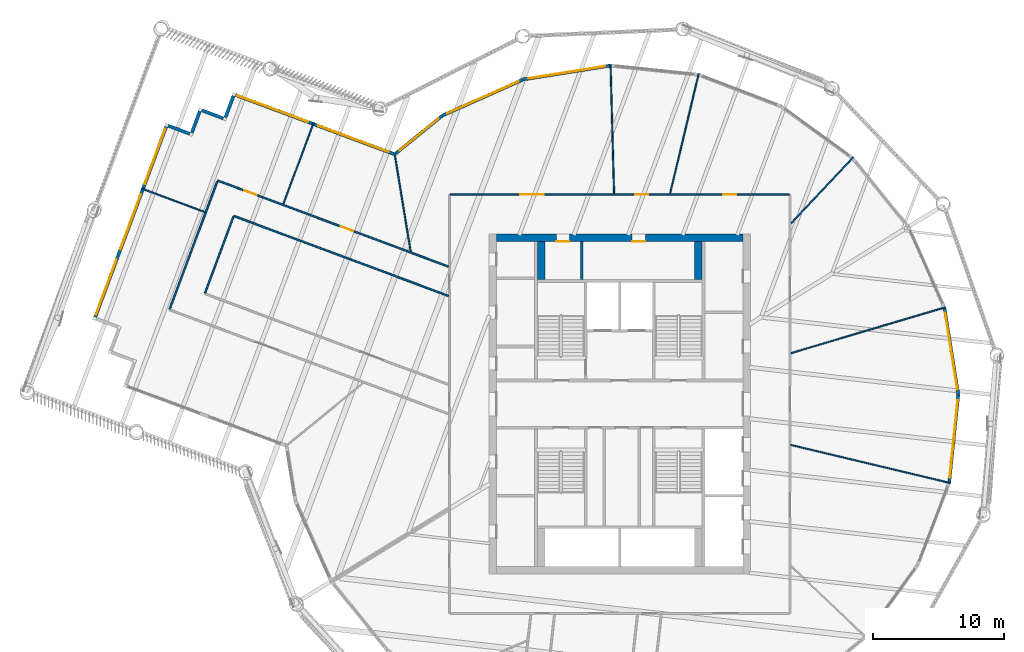
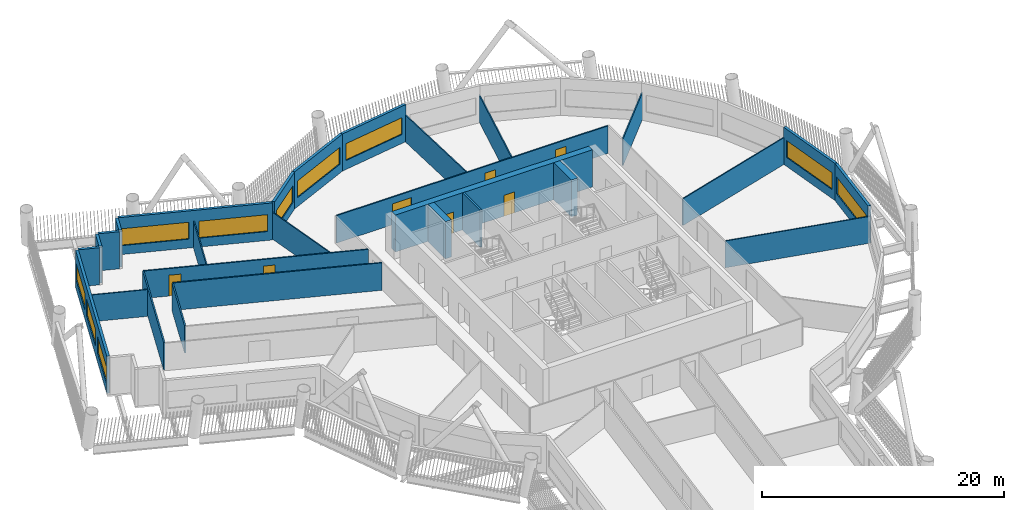
# One storey, part 6 of 22: 28 walls, 10 windows, 7 doors, 17 openings.
"""IFC4 building model written with IfcOpenShell, lengths in metres."""

from ifc_helpers import new_model, si_unit, direction, frame, frame_2d, origin, place, context, subcontext, project, spatial, rectangle, extrude, material, layer, layer_set, type_object, element, fill, save


model = new_model("IFC4")

# Units and contexts
model_context = context("Model", 3, precision=1e-05, world=origin(), true_north=direction((0.0, 1.0)))
body_context = subcontext(model_context, "Body", "Model", "MODEL_VIEW")
ifc_project = project(units=[si_unit("LENGTHUNIT", "METRE"), si_unit("AREAUNIT", "SQUARE_METRE"), si_unit("VOLUMEUNIT", "CUBIC_METRE"), si_unit("PLANEANGLEUNIT", "RADIAN"), si_unit("MASSUNIT", "GRAM", prefix="KILO")], contexts=[model_context])

# Site, building, storey
site_placement = place(None, origin())
site = spatial("IfcSite", under=ifc_project, at=site_placement, CompositionType="ELEMENT")
building_placement = place(site_placement, origin())
building = spatial("IfcBuilding", under=site, at=building_placement, Name="Tarsis Ring Headquarters", CompositionType="ELEMENT")
storey_placement = place(building_placement, frame((0.0, 0.0, 200.39990234375)))
storey = spatial("IfcBuildingStorey", under=building, at=storey_placement, Name="L46", CompositionType="ELEMENT", Elevation=200.39990234375)

# Wall
ifc_material_1 = material(Name="Blockwork", Category="masonry")
ifc_layer_1 = layer(ifc_material_1, 0.199951171875)
ifc_layer_set_1 = layer_set([ifc_layer_1], Name="Core blockwork wall 200")
wall_type_1 = type_object("IfcWallType", Name="Core blockwork wall 200", PredefinedType="PARTITIONING", material=ifc_layer_set_1)
wall_1_placement = place(storey_placement, frame((-2.89990234375, 9.5, 0.0), z_axis=(0.0, 0.0, 1.0), x_axis=(0.0, 1.0, 0.0)))
element("IfcWall", 1, at=wall_1_placement, inside=storey, type_object=wall_type_1, Name="Core partition ND1", PredefinedType="PARTITIONING", context=body_context, shape_type="SweptSolid", body=[
    extrude(rectangle(XDim=2.89990234375, YDim=0.199951171875, at=frame_2d((1.449951171875, 0.0))), origin(), (0.0, 0.0, 1.0), 3.739990234375),
])

# Wall, openings, doors
ifc_material_2 = material(Name="Concrete C50/60", Category="concrete")
ifc_layer_2 = layer(ifc_material_2, 0.60009765625)
ifc_layer_set_2 = layer_set([ifc_layer_2], Name="Core wall 600 C50/60")
wall_type_2 = type_object("IfcWallType", Name="Core wall 600 C50/60", PredefinedType="SHEAR", material=ifc_layer_set_2)
wall_2_placement = place(storey_placement, frame((-9.39990234375, 12.699951171875, 0.0), z_axis=(0.0, 0.0, 1.0), x_axis=(1.0, 0.0, 0.0)))
wall_2 = element("IfcWall", 2, at=wall_2_placement, inside=storey, type_object=wall_type_2, Name="Core wall ON", PredefinedType="SHEAR", context=body_context, shape_type="SweptSolid", body=[
    extrude(rectangle(XDim=18.7998046875, YDim=0.60009765625, at=frame_2d((9.39990234375, 0.0))), origin(), (0.0, 0.0, 1.0), 3.739990234375),
])
opening_1_placement = place(wall_2_placement, frame((4.550048828125, 0.0, 0.0)))
opening_1 = element("IfcOpeningElement", 3, at=opening_1_placement, cuts=wall_2, Name="Opening L46-C14", PredefinedType="OPENING", context=body_context, shape_type="SweptSolid", body=[
    extrude(rectangle(XDim=1.0, YDim=2.10009765625, at=frame_2d((0.5, 1.050048828125))), frame((0.0, 0.31005859375, 0.0), z_axis=(0.0, -1.0, 0.0), x_axis=(1.0, 0.0, 0.0)), (0.0, 0.0, 1.0), 0.6201171875),
])
opening_2_placement = place(wall_2_placement, frame((10.35009765625, 0.0, 0.0)))
opening_2 = element("IfcOpeningElement", 4, at=opening_2_placement, cuts=wall_2, Name="Opening L46-C15", PredefinedType="OPENING", context=body_context, shape_type="SweptSolid", body=[
    extrude(rectangle(XDim=1.0, YDim=2.10009765625, at=frame_2d((0.5, 1.050048828125))), frame((0.0, 0.31005859375, 0.0), z_axis=(0.0, -1.0, 0.0), x_axis=(1.0, 0.0, 0.0)), (0.0, 0.0, 1.0), 0.6201171875),
])
ifc_material_3 = material(Name="Steel S355", Category="steel")
door_type_1 = type_object("IfcDoorType", Name="Core room door 1000x2100", OperationType="SINGLE_SWING_LEFT", PredefinedType="DOOR", material=ifc_material_3)
door_1_placement = place(opening_1_placement, origin())
door_1 = element("IfcDoor", 5, at=door_1_placement, inside=storey, type_object=door_type_1, Name="Core room door L46", OperationType="SINGLE_SWING_LEFT", OverallHeight=2.10009765625, OverallWidth=1.0, PredefinedType="DOOR", context=body_context, shape_type="SweptSolid", body=[
    extrude(rectangle(XDim=1.0, YDim=2.10009765625, at=frame_2d((0.5, 1.050048828125))), frame((0.0, -0.25, 0.0), z_axis=(0.0, -1.0, 0.0), x_axis=(1.0, 0.0, 0.0)), (0.0, 0.0, 1.0), 0.050048828125),
])
fill(opening_1, door_1)
door_2_placement = place(opening_2_placement, origin())
door_2 = element("IfcDoor", 6, at=door_2_placement, inside=storey, type_object=door_type_1, Name="Core room door L46", OperationType="SINGLE_SWING_LEFT", OverallHeight=2.10009765625, OverallWidth=1.0, PredefinedType="DOOR", context=body_context, shape_type="SweptSolid", body=[
    extrude(rectangle(XDim=1.0, YDim=2.10009765625, at=frame_2d((0.5, 1.050048828125))), frame((0.0, -0.25, 0.0), z_axis=(0.0, -1.0, 0.0), x_axis=(1.0, 0.0, 0.0)), (0.0, 0.0, 1.0), 0.050048828125),
])
fill(opening_2, door_2)

# Walls
ifc_material_4 = material(Name="Gypsum board on steel studs", Category="steel")
ifc_layer_3 = layer(ifc_material_4, 0.10009765625)
ifc_layer_set_3 = layer_set([ifc_layer_3], Name="FL partition 100 unrated")
wall_type_3 = type_object("IfcWallType", Name="FL partition 100 unrated", PredefinedType="PARTITIONING", material=ifc_layer_set_3)
wall_3_placement = place(storey_placement, frame((13.068115234375, -3.122802734375, 0.0), z_axis=(0.0, 0.0, 1.0), x_axis=(0.97261179274, -0.232435583812, 0.0)))
element("IfcWall", 7, at=wall_3_placement, inside=storey, type_object=wall_type_3, Name="Partition PW3", PredefinedType="PARTITIONING", context=body_context, shape_type="SweptSolid", body=[
    extrude(rectangle(XDim=12.511962890625, YDim=0.10009765625, at=frame_2d((6.255859375, 0.0))), origin(), (0.0, 0.0, 1.0), 2.7001953125),
])
wall_4_placement = place(storey_placement, frame((13.067138671875, 3.885498046875, 0.0), z_axis=(0.0, 0.0, 1.0), x_axis=(0.958523476174, 0.285013588488, 0.0)))
element("IfcWall", 8, at=wall_4_placement, inside=storey, type_object=wall_type_3, Name="Partition PW3", PredefinedType="PARTITIONING", context=body_context, shape_type="SweptSolid", body=[
    extrude(rectangle(XDim=12.315185546875, YDim=0.10009765625, at=frame_2d((6.15771484375, 0.0))), origin(), (0.0, 0.0, 1.0), 2.7001953125),
])
wall_5_placement = place(storey_placement, frame((-0.706298828125, 25.938232421875, 0.0), z_axis=(0.0, 0.0, 1.0), x_axis=(0.027228891062, -0.999629225009, 0.0)))
element("IfcWall", 9, at=wall_5_placement, inside=storey, type_object=wall_type_3, Name="Partition PW3", PredefinedType="PARTITIONING", context=body_context, shape_type="SweptSolid", body=[
    extrude(rectangle(XDim=9.871826171875, YDim=0.10009765625, at=frame_2d((4.93603515625, 0.0))), origin(), (0.0, 0.0, 1.0), 2.7001953125),
])
wall_6_placement = place(storey_placement, frame((3.83984375, 16.068115234375, 0.0), z_axis=(0.0, 0.0, 1.0), x_axis=(0.232425700599, 0.972614154586, 0.0)))
element("IfcWall", 10, at=wall_6_placement, inside=storey, type_object=wall_type_3, Name="Partition PW3", PredefinedType="PARTITIONING", context=body_context, shape_type="SweptSolid", body=[
    extrude(rectangle(XDim=9.42724609375, YDim=0.10009765625, at=frame_2d((4.713623046875, 0.0))), origin(), (0.0, 0.0, 1.0), 2.7001953125),
])
wall_7_placement = place(storey_placement, frame((-17.20263671875, 19.137451171875, 0.0), z_axis=(0.0, 0.0, 1.0), x_axis=(0.161789951045, -0.986825218436, 0.0)))
element("IfcWall", 11, at=wall_7_placement, inside=storey, type_object=wall_type_3, Name="Partition PW3", PredefinedType="PARTITIONING", context=body_context, shape_type="SweptSolid", body=[
    extrude(rectangle(XDim=7.57373046875, YDim=0.10009765625, at=frame_2d((3.786865234375, 0.0))), origin(), (0.0, 0.0, 1.0), 2.7001953125),
])
wall_8_placement = place(storey_placement, frame((13.08935546875, 13.822265625, 0.0), z_axis=(0.0, 0.0, 1.0), x_axis=(0.687592762993, 0.726096544738, 0.0)))
element("IfcWall", 12, at=wall_8_placement, inside=storey, type_object=wall_type_3, Name="Partition PW3", PredefinedType="PARTITIONING", context=body_context, shape_type="SweptSolid", body=[
    extrude(rectangle(XDim=6.911376953125, YDim=0.10009765625, at=frame_2d((3.45556640625, 0.0))), origin(), (0.0, 0.0, 1.0), 2.7001953125),
])
wall_9_placement = place(storey_placement, frame((-25.702880859375, 15.278076171875, 0.0), z_axis=(0.0, 0.0, 1.0), x_axis=(0.34926482952, 0.937024054579, 0.0)))
element("IfcWall", 13, at=wall_9_placement, inside=storey, type_object=wall_type_3, Name="Partition PW3", PredefinedType="PARTITIONING", context=body_context, shape_type="SweptSolid", body=[
    extrude(rectangle(XDim=6.60986328125, YDim=0.10009765625, at=frame_2d((3.304931640625, 0.0))), origin(), (0.0, 0.0, 1.0), 2.7001953125),
])
wall_10_placement = place(storey_placement, frame((-36.502197265625, 16.45361328125, 0.0), z_axis=(0.0, 0.0, 1.0), x_axis=(0.937037230581, -0.349229478288, 0.0)))
element("IfcWall", 14, at=wall_10_placement, inside=storey, type_object=wall_type_3, Name="Partition PW3", PredefinedType="PARTITIONING", context=body_context, shape_type="SweptSolid", body=[
    extrude(rectangle(XDim=5.1298828125, YDim=0.10009765625, at=frame_2d((2.56494140625, 0.0))), origin(), (0.0, 0.0, 1.0), 2.7001953125),
])

# Wall, openings, doors
ifc_layer_4 = layer(ifc_material_4, 0.125)
ifc_layer_set_4 = layer_set([ifc_layer_4], Name="FL partition 125 EI 60 H2770")
wall_type_4 = type_object("IfcWallType", Name="FL partition 125 EI 60 H2770", PredefinedType="PARTITIONING", material=ifc_layer_set_4)
wall_11_placement = place(storey_placement, frame((-12.93994140625, 16.0, 0.0), z_axis=(0.0, 0.0, 1.0), x_axis=(1.0, 0.0, 0.0)))
wall_11 = element("IfcWall", 15, at=wall_11_placement, inside=storey, type_object=wall_type_4, Name="Partition PW1", PredefinedType="PARTITIONING", context=body_context, shape_type="SweptSolid", body=[
    extrude(rectangle(XDim=25.8798828125, YDim=0.125, at=frame_2d((12.93994140625, 0.0))), origin(), (0.0, 0.0, 1.0), 2.77001953125),
])
opening_3_placement = place(wall_11_placement, frame((5.322021484375, 0.0, 0.0)))
opening_3 = element("IfcOpeningElement", 16, at=opening_3_placement, cuts=wall_11, Name="Opening D46.04", PredefinedType="OPENING", context=body_context, shape_type="SweptSolid", body=[
    extrude(rectangle(XDim=1.800048828125, YDim=2.10009765625, at=frame_2d((0.89990234375, 1.050048828125))), frame((0.0, 0.072509765625, 0.0), z_axis=(0.0, -1.0, 0.0), x_axis=(1.0, 0.0, 0.0)), (0.0, 0.0, 1.0), 0.14501953125),
])
opening_4_placement = place(wall_11_placement, frame((14.1337890625, 0.0, 0.0)))
opening_4 = element("IfcOpeningElement", 17, at=opening_4_placement, cuts=wall_11, Name="Opening D46.05", PredefinedType="OPENING", context=body_context, shape_type="SweptSolid", body=[
    extrude(rectangle(XDim=1.0, YDim=2.10009765625, at=frame_2d((0.5, 1.050048828125))), frame((0.0, 0.072509765625, 0.0), z_axis=(0.0, -1.0, 0.0), x_axis=(1.0, 0.0, 0.0)), (0.0, 0.0, 1.0), 0.14501953125),
])
opening_5_placement = place(wall_11_placement, frame((20.851806640625, 0.0, 0.0)))
opening_5 = element("IfcOpeningElement", 18, at=opening_5_placement, cuts=wall_11, Name="Opening D46.06", PredefinedType="OPENING", context=body_context, shape_type="SweptSolid", body=[
    extrude(rectangle(XDim=1.0, YDim=2.10009765625, at=frame_2d((0.5, 1.050048828125))), frame((0.0, 0.072509765625, 0.0), z_axis=(0.0, -1.0, 0.0), x_axis=(1.0, 0.0, 0.0)), (0.0, 0.0, 1.0), 0.14501953125),
])
ifc_material_5 = material(Name="Fire-rated timber door leaf in steel frame", Category="steel")
door_type_2 = type_object("IfcDoorType", Name="FL door FD60-1000", OperationType="NOTDEFINED", PredefinedType="DOOR", material=ifc_material_5)
door_3_placement = place(opening_4_placement, origin())
door_3 = element("IfcDoor", 19, at=door_3_placement, inside=storey, type_object=door_type_2, Name="Door D46.05", OperationType="SINGLE_SWING_LEFT", OverallHeight=2.10009765625, OverallWidth=1.0, PredefinedType="DOOR", context=body_context, shape_type="SweptSolid", body=[
    extrude(rectangle(XDim=1.0, YDim=2.10009765625, at=frame_2d((0.5, 1.050048828125))), frame((0.0, 0.02490234375, 0.0), z_axis=(0.0, -1.0, 0.0), x_axis=(1.0, 0.0, 0.0)), (0.0, 0.0, 1.0), 0.050048828125),
])
fill(opening_4, door_3)
door_4_placement = place(opening_5_placement, origin())
door_4 = element("IfcDoor", 20, at=door_4_placement, inside=storey, type_object=door_type_2, Name="Door D46.06", OperationType="SINGLE_SWING_RIGHT", OverallHeight=2.10009765625, OverallWidth=1.0, PredefinedType="DOOR", context=body_context, shape_type="SweptSolid", body=[
    extrude(rectangle(XDim=1.0, YDim=2.10009765625, at=frame_2d((0.5, 1.050048828125))), frame((0.0, 0.02490234375, 0.0), z_axis=(0.0, -1.0, 0.0), x_axis=(1.0, 0.0, 0.0)), (0.0, 0.0, 1.0), 0.050048828125),
])
fill(opening_5, door_4)
door_type_3 = type_object("IfcDoorType", Name="FL door FD60-1800", OperationType="DOUBLE_DOOR_SINGLE_SWING", PredefinedType="DOOR", material=ifc_material_5)
door_5_placement = place(opening_3_placement, origin())
door_5 = element("IfcDoor", 21, at=door_5_placement, inside=storey, type_object=door_type_3, Name="Door D46.04", OperationType="DOUBLE_DOOR_SINGLE_SWING", OverallHeight=2.10009765625, OverallWidth=1.800048828125, PredefinedType="DOOR", context=body_context, shape_type="SweptSolid", body=[
    extrude(rectangle(XDim=1.800048828125, YDim=2.10009765625, at=frame_2d((0.89990234375, 1.050048828125))), frame((0.0, 0.02490234375, 0.0), z_axis=(0.0, -1.0, 0.0), x_axis=(1.0, 0.0, 0.0)), (0.0, 0.0, 1.0), 0.050048828125),
])
fill(opening_3, door_5)

wall_12_placement = place(storey_placement, frame((-30.7216796875, 17.07373046875, 0.0), z_axis=(0.0, 0.0, 1.0), x_axis=(0.937040612488, -0.349220403968, 0.0)))
wall_12 = element("IfcWall", 22, at=wall_12_placement, inside=storey, type_object=wall_type_4, Name="Partition PW1", PredefinedType="PARTITIONING", context=body_context, shape_type="SweptSolid", body=[
    extrude(rectangle(XDim=18.83251953125, YDim=0.125, at=frame_2d((9.416259765625, 0.0))), origin(), (0.0, 0.0, 1.0), 2.77001953125),
])
opening_6_placement = place(wall_12_placement, frame((2.162841796875, 0.0, 0.0)))
opening_6 = element("IfcOpeningElement", 23, at=opening_6_placement, cuts=wall_12, Name="Opening D46.02", PredefinedType="OPENING", context=body_context, shape_type="SweptSolid", body=[
    extrude(rectangle(XDim=1.0, YDim=2.10009765625, at=frame_2d((0.5, 1.050048828125))), frame((0.0, 0.072509765625, 0.0), z_axis=(0.0, -1.0, 0.0), x_axis=(1.0, 0.0, 0.0)), (0.0, 0.0, 1.0), 0.14501953125),
])
opening_7_placement = place(wall_12_placement, frame((10.03662109375, 0.0, 0.0)))
opening_7 = element("IfcOpeningElement", 24, at=opening_7_placement, cuts=wall_12, Name="Opening D46.03", PredefinedType="OPENING", context=body_context, shape_type="SweptSolid", body=[
    extrude(rectangle(XDim=1.0, YDim=2.10009765625, at=frame_2d((0.5, 1.050048828125))), frame((0.0, 0.072509765625, 0.0), z_axis=(0.0, -1.0, 0.0), x_axis=(1.0, 0.0, 0.0)), (0.0, 0.0, 1.0), 0.14501953125),
])
door_6_placement = place(opening_6_placement, origin())
door_6 = element("IfcDoor", 25, at=door_6_placement, inside=storey, type_object=door_type_2, Name="Door D46.02", OperationType="SINGLE_SWING_RIGHT", OverallHeight=2.10009765625, OverallWidth=1.0, PredefinedType="DOOR", context=body_context, shape_type="SweptSolid", body=[
    extrude(rectangle(XDim=1.0, YDim=2.10009765625, at=frame_2d((0.5, 1.050048828125))), frame((0.0, 0.02490234375, 0.0), z_axis=(0.0, -1.0, 0.0), x_axis=(1.0, 0.0, 0.0)), (0.0, 0.0, 1.0), 0.050048828125),
])
fill(opening_6, door_6)
door_7_placement = place(opening_7_placement, origin())
door_7 = element("IfcDoor", 26, at=door_7_placement, inside=storey, type_object=door_type_2, Name="Door D46.03", OperationType="SINGLE_SWING_LEFT", OverallHeight=2.10009765625, OverallWidth=1.0, PredefinedType="DOOR", context=body_context, shape_type="SweptSolid", body=[
    extrude(rectangle(XDim=1.0, YDim=2.10009765625, at=frame_2d((0.5, 1.050048828125))), frame((0.0, 0.02490234375, 0.0), z_axis=(0.0, -1.0, 0.0), x_axis=(1.0, 0.0, 0.0)), (0.0, 0.0, 1.0), 0.050048828125),
])
fill(opening_7, door_7)

# Walls
wall_13_placement = place(storey_placement, frame((-29.4873046875, 14.372802734375, 0.0), z_axis=(0.0, 0.0, 1.0), x_axis=(0.937034718101, -0.349236219591, 0.0)))
element("IfcWall", 27, at=wall_13_placement, inside=storey, type_object=wall_type_4, Name="Partition PW1", PredefinedType="PARTITIONING", context=body_context, shape_type="SweptSolid", body=[
    extrude(rectangle(XDim=17.51513671875, YDim=0.125, at=frame_2d((8.757568359375, 0.0))), origin(), (0.0, 0.0, 1.0), 2.77001953125),
])
wall_14_placement = place(storey_placement, frame((-34.381591796875, 7.253662109375, 0.0), z_axis=(0.0, 0.0, 1.0), x_axis=(0.349225205797, 0.937038822908, 0.0)))
element("IfcWall", 28, at=wall_14_placement, inside=storey, type_object=wall_type_4, Name="Partition PW1", PredefinedType="PARTITIONING", context=body_context, shape_type="SweptSolid", body=[
    extrude(rectangle(XDim=10.419921875, YDim=0.125, at=frame_2d((5.2099609375, 0.0))), origin(), (0.0, 0.0, 1.0), 2.77001953125),
])
wall_15_placement = place(storey_placement, frame((-31.680419921875, 8.488037109375, 0.0), z_axis=(0.0, 0.0, 1.0), x_axis=(0.349217153557, 0.937041823859, 0.0)))
element("IfcWall", 29, at=wall_15_placement, inside=storey, type_object=wall_type_4, Name="Partition PW1", PredefinedType="PARTITIONING", context=body_context, shape_type="SweptSolid", body=[
    extrude(rectangle(XDim=6.219970703125, YDim=0.125, at=frame_2d((3.10986328125, 0.0))), origin(), (0.0, 0.0, 1.0), 2.77001953125),
])

# Wall, opening, window
ifc_material_6 = material(Name="Terracotta clad insulated panel wall", Category="masonry")
ifc_layer_5 = layer(ifc_material_6, 0.25)
ifc_layer_set_5 = layer_set([ifc_layer_5], Name="Facade wall terracotta panel 250")
wall_type_5 = type_object("IfcWallType", Name="Facade wall terracotta panel 250", PredefinedType="STANDARD", material=ifc_layer_set_5)
wall_16_placement = place(storey_placement, frame((25.1669921875, -5.997314453125, 0.0), z_axis=(0.0, 0.0, 1.0), x_axis=(0.103484060854, 0.994631112096, 0.0)))
wall_16 = element("IfcWall", 30, at=wall_16_placement, inside=storey, type_object=wall_type_5, Name="External wall L46-21", PredefinedType="STANDARD", context=body_context, shape_type="SweptSolid", body=[
    extrude(rectangle(XDim=6.721435546875, YDim=0.25, at=frame_2d((3.36083984375, 0.0))), origin(), (0.0, 0.0, 1.0), 3.739990234375),
])
opening_8_placement = place(wall_16_placement, frame((0.3857421875, 0.0, 0.89990234375)))
opening_8 = element("IfcOpeningElement", 31, at=opening_8_placement, cuts=wall_16, Name="Opening WN07", PredefinedType="OPENING", context=body_context, shape_type="SweptSolid", body=[
    extrude(rectangle(XDim=5.949951171875, YDim=1.699951171875, at=frame_2d((2.97509765625, 0.85009765625))), frame((0.0, 0.135009765625, 0.0), z_axis=(0.0, -1.0, 0.0), x_axis=(1.0, 0.0, 0.0)), (0.0, 0.0, 1.0), 0.27001953125),
])
ifc_material_7 = material(Name="Aluminium framed double glazing", Category="aluminium")
window_type_1 = type_object("IfcWindowType", Name="Facade window 5950 x 1700", PartitioningType="SINGLE_PANEL", PredefinedType="WINDOW", material=ifc_material_7)
window_1_placement = place(opening_8_placement, origin())
window_1 = element("IfcWindow", 32, at=window_1_placement, inside=storey, type_object=window_type_1, Name="Window L46-21.1", OverallHeight=1.699951171875, OverallWidth=5.949951171875, PartitioningType="SINGLE_PANEL", PredefinedType="WINDOW", context=body_context, shape_type="SweptSolid", body=[
    extrude(rectangle(XDim=5.949951171875, YDim=1.699951171875, at=frame_2d((2.97509765625, 0.85009765625))), frame((0.0, 0.030029296875, 0.0), z_axis=(0.0, -1.0, 0.0), x_axis=(1.0, 0.0, 0.0)), (0.0, 0.0, 1.0), 0.06005859375),
])
fill(opening_8, window_1)

wall_17_placement = place(storey_placement, frame((25.86181640625, 0.720703125, 0.0), z_axis=(0.0, 0.0, 1.0), x_axis=(-0.157491833734, 0.987520289567, 0.0)))
wall_17 = element("IfcWall", 33, at=wall_17_placement, inside=storey, type_object=wall_type_5, Name="External wall L46-22", PredefinedType="STANDARD", context=body_context, shape_type="SweptSolid", body=[
    extrude(rectangle(XDim=6.7216796875, YDim=0.25, at=frame_2d((3.36083984375, 0.0))), origin(), (0.0, 0.0, 1.0), 3.739990234375),
])
opening_9_placement = place(wall_17_placement, frame((0.3857421875, 0.0, 0.89990234375)))
opening_9 = element("IfcOpeningElement", 34, at=opening_9_placement, cuts=wall_17, Name="Opening WN07", PredefinedType="OPENING", context=body_context, shape_type="SweptSolid", body=[
    extrude(rectangle(XDim=5.949951171875, YDim=1.699951171875, at=frame_2d((2.97509765625, 0.85009765625))), frame((0.0, 0.135009765625, 0.0), z_axis=(0.0, -1.0, 0.0), x_axis=(1.0, 0.0, 0.0)), (0.0, 0.0, 1.0), 0.27001953125),
])
window_2_placement = place(opening_9_placement, origin())
window_2 = element("IfcWindow", 35, at=window_2_placement, inside=storey, type_object=window_type_1, Name="Window L46-22.1", OverallHeight=1.699951171875, OverallWidth=5.949951171875, PartitioningType="SINGLE_PANEL", PredefinedType="WINDOW", context=body_context, shape_type="SweptSolid", body=[
    extrude(rectangle(XDim=5.949951171875, YDim=1.699951171875, at=frame_2d((2.97509765625, 0.85009765625))), frame((0.0, 0.030029296875, 0.0), z_axis=(0.0, -1.0, 0.0), x_axis=(1.0, 0.0, 0.0)), (0.0, 0.0, 1.0), 0.06005859375),
])
fill(opening_9, window_2)

wall_18_placement = place(storey_placement, frame((-0.720703125, 25.86181640625, 0.0), z_axis=(0.0, 0.0, 1.0), x_axis=(-0.987520289567, -0.157491833734, 0.0)))
wall_18 = element("IfcWall", 36, at=wall_18_placement, inside=storey, type_object=wall_type_5, Name="External wall L46-28", PredefinedType="STANDARD", context=body_context, shape_type="SweptSolid", body=[
    extrude(rectangle(XDim=6.7216796875, YDim=0.25, at=frame_2d((3.36083984375, 0.0))), origin(), (0.0, 0.0, 1.0), 3.739990234375),
])
opening_10_placement = place(wall_18_placement, frame((0.3857421875, 0.0, 0.89990234375)))
opening_10 = element("IfcOpeningElement", 37, at=opening_10_placement, cuts=wall_18, Name="Opening WN07", PredefinedType="OPENING", context=body_context, shape_type="SweptSolid", body=[
    extrude(rectangle(XDim=5.949951171875, YDim=1.699951171875, at=frame_2d((2.97509765625, 0.85009765625))), frame((0.0, 0.135009765625, 0.0), z_axis=(0.0, -1.0, 0.0), x_axis=(1.0, 0.0, 0.0)), (0.0, 0.0, 1.0), 0.27001953125),
])
window_3_placement = place(opening_10_placement, origin())
window_3 = element("IfcWindow", 38, at=window_3_placement, inside=storey, type_object=window_type_1, Name="Window L46-28.1", OverallHeight=1.699951171875, OverallWidth=5.949951171875, PartitioningType="SINGLE_PANEL", PredefinedType="WINDOW", context=body_context, shape_type="SweptSolid", body=[
    extrude(rectangle(XDim=5.949951171875, YDim=1.699951171875, at=frame_2d((2.97509765625, 0.85009765625))), frame((0.0, 0.030029296875, 0.0), z_axis=(0.0, -1.0, 0.0), x_axis=(1.0, 0.0, 0.0)), (0.0, 0.0, 1.0), 0.06005859375),
])
fill(opening_10, window_3)

wall_19_placement = place(storey_placement, frame((-7.3896484375, 24.7939453125, 0.0), z_axis=(0.0, 0.0, 1.0), x_axis=(-0.913121222012, -0.407688157678, 0.0)))
wall_19 = element("IfcWall", 39, at=wall_19_placement, inside=storey, type_object=wall_type_5, Name="External wall L46-29", PredefinedType="STANDARD", context=body_context, shape_type="SweptSolid", body=[
    extrude(rectangle(XDim=6.721435546875, YDim=0.25, at=frame_2d((3.36083984375, 0.0))), origin(), (0.0, 0.0, 1.0), 3.739990234375),
])
opening_11_placement = place(wall_19_placement, frame((0.3857421875, 0.0, 0.89990234375)))
opening_11 = element("IfcOpeningElement", 40, at=opening_11_placement, cuts=wall_19, Name="Opening WN07", PredefinedType="OPENING", context=body_context, shape_type="SweptSolid", body=[
    extrude(rectangle(XDim=5.949951171875, YDim=1.699951171875, at=frame_2d((2.97509765625, 0.85009765625))), frame((0.0, 0.135009765625, 0.0), z_axis=(0.0, -1.0, 0.0), x_axis=(1.0, 0.0, 0.0)), (0.0, 0.0, 1.0), 0.27001953125),
])
window_4_placement = place(opening_11_placement, origin())
window_4 = element("IfcWindow", 41, at=window_4_placement, inside=storey, type_object=window_type_1, Name="Window L46-29.1", OverallHeight=1.699951171875, OverallWidth=5.949951171875, PartitioningType="SINGLE_PANEL", PredefinedType="WINDOW", context=body_context, shape_type="SweptSolid", body=[
    extrude(rectangle(XDim=5.949951171875, YDim=1.699951171875, at=frame_2d((2.97509765625, 0.85009765625))), frame((0.0, 0.030029296875, 0.0), z_axis=(0.0, -1.0, 0.0), x_axis=(1.0, 0.0, 0.0)), (0.0, 0.0, 1.0), 0.06005859375),
])
fill(opening_11, window_4)

wall_20_placement = place(storey_placement, frame((-13.554931640625, 22.03662109375, 0.0), z_axis=(0.0, 0.0, 1.0), x_axis=(-0.776480963209, -0.630140709504, 0.0)))
wall_20 = element("IfcWall", 42, at=wall_20_placement, inside=storey, type_object=wall_type_5, Name="External wall L46-30", PredefinedType="STANDARD", context=body_context, shape_type="SweptSolid", body=[
    extrude(rectangle(XDim=4.617919921875, YDim=0.25, at=frame_2d((2.30908203125, 0.0))), origin(), (0.0, 0.0, 1.0), 3.739990234375),
])
opening_12_placement = place(wall_20_placement, frame((0.367431640625, 0.0, 0.89990234375)))
opening_12 = element("IfcOpeningElement", 43, at=opening_12_placement, cuts=wall_20, Name="Opening WN02", PredefinedType="OPENING", context=body_context, shape_type="SweptSolid", body=[
    extrude(rectangle(XDim=3.85009765625, YDim=1.699951171875, at=frame_2d((1.925048828125, 0.85009765625))), frame((0.0, 0.135009765625, 0.0), z_axis=(0.0, -1.0, 0.0), x_axis=(1.0, 0.0, 0.0)), (0.0, 0.0, 1.0), 0.27001953125),
])
window_type_2 = type_object("IfcWindowType", Name="Facade window 3850 x 1700", PartitioningType="SINGLE_PANEL", PredefinedType="WINDOW", material=ifc_material_7)
window_5_placement = place(opening_12_placement, origin())
window_5 = element("IfcWindow", 44, at=window_5_placement, inside=storey, type_object=window_type_2, Name="Window L46-30.1", OverallHeight=1.699951171875, OverallWidth=3.85009765625, PartitioningType="SINGLE_PANEL", PredefinedType="WINDOW", context=body_context, shape_type="SweptSolid", body=[
    extrude(rectangle(XDim=3.85009765625, YDim=1.699951171875, at=frame_2d((1.925048828125, 0.85009765625))), frame((0.0, 0.030029296875, 0.0), z_axis=(0.0, -1.0, 0.0), x_axis=(1.0, 0.0, 0.0)), (0.0, 0.0, 1.0), 0.06005859375),
])
fill(opening_12, window_5)

# Wall, openings, windows
wall_21_placement = place(storey_placement, frame((-17.262939453125, 19.106689453125, 0.0), z_axis=(0.0, 0.0, 1.0), x_axis=(-0.937041929431, 0.349216870281, 0.0)))
wall_21 = element("IfcWall", 45, at=wall_21_placement, inside=storey, type_object=wall_type_5, Name="External wall L46-31", PredefinedType="STANDARD", context=body_context, shape_type="SweptSolid", body=[
    extrude(rectangle(XDim=12.9013671875, YDim=0.25, at=frame_2d((6.45068359375, 0.0))), origin(), (0.0, 0.0, 1.0), 3.739990234375),
])
opening_13_placement = place(wall_21_placement, frame((0.412841796875, 0.0, 0.89990234375)))
opening_13 = element("IfcOpeningElement", 46, at=opening_13_placement, cuts=wall_21, Name="Opening WN06", PredefinedType="OPENING", context=body_context, shape_type="SweptSolid", body=[
    extrude(rectangle(XDim=5.75, YDim=1.699951171875, at=frame_2d((2.875, 0.85009765625))), frame((0.0, 0.135009765625, 0.0), z_axis=(0.0, -1.0, 0.0), x_axis=(1.0, 0.0, 0.0)), (0.0, 0.0, 1.0), 0.27001953125),
])
opening_14_placement = place(wall_21_placement, frame((6.988525390625, 0.0, 0.89990234375)))
opening_14 = element("IfcOpeningElement", 47, at=opening_14_placement, cuts=wall_21, Name="Opening WN06", PredefinedType="OPENING", context=body_context, shape_type="SweptSolid", body=[
    extrude(rectangle(XDim=5.75, YDim=1.699951171875, at=frame_2d((2.875, 0.85009765625))), frame((0.0, 0.135009765625, 0.0), z_axis=(0.0, -1.0, 0.0), x_axis=(1.0, 0.0, 0.0)), (0.0, 0.0, 1.0), 0.27001953125),
])
window_type_3 = type_object("IfcWindowType", Name="Facade window 5750 x 1700", PartitioningType="SINGLE_PANEL", PredefinedType="WINDOW", material=ifc_material_7)
window_6_placement = place(opening_13_placement, origin())
window_6 = element("IfcWindow", 48, at=window_6_placement, inside=storey, type_object=window_type_3, Name="Window L46-31.1", OverallHeight=1.699951171875, OverallWidth=5.75, PartitioningType="SINGLE_PANEL", PredefinedType="WINDOW", context=body_context, shape_type="SweptSolid", body=[
    extrude(rectangle(XDim=5.75, YDim=1.699951171875, at=frame_2d((2.875, 0.85009765625))), frame((0.0, 0.030029296875, 0.0), z_axis=(0.0, -1.0, 0.0), x_axis=(1.0, 0.0, 0.0)), (0.0, 0.0, 1.0), 0.06005859375),
])
fill(opening_13, window_6)
window_7_placement = place(opening_14_placement, origin())
window_7 = element("IfcWindow", 49, at=window_7_placement, inside=storey, type_object=window_type_3, Name="Window L46-31.2", OverallHeight=1.699951171875, OverallWidth=5.75, PartitioningType="SINGLE_PANEL", PredefinedType="WINDOW", context=body_context, shape_type="SweptSolid", body=[
    extrude(rectangle(XDim=5.75, YDim=1.699951171875, at=frame_2d((2.875, 0.85009765625))), frame((0.0, 0.030029296875, 0.0), z_axis=(0.0, -1.0, 0.0), x_axis=(1.0, 0.0, 0.0)), (0.0, 0.0, 1.0), 0.06005859375),
])
fill(opening_14, window_7)

# Walls
wall_22_placement = place(storey_placement, frame((-29.512939453125, 23.53857421875, 0.0), z_axis=(0.0, 0.0, 1.0), x_axis=(-0.349226734342, -0.937038253232, 0.0)))
element("IfcWall", 50, at=wall_22_placement, inside=storey, type_object=wall_type_5, Name="External wall L46-32", PredefinedType="STANDARD", context=body_context, shape_type="SweptSolid", body=[
    extrude(rectangle(XDim=1.749755859375, YDim=0.25, at=frame_2d((0.875, 0.0))), origin(), (0.0, 0.0, 1.0), 3.739990234375),
])
for number, where, z_axis, x_axis, name in (
    (51, (-30.28466796875, 21.825439453125, 0.0), (0.0, 0.0, 1.0), (-0.937055266057, 0.349181082469, 0.0), "External wall L46-33"),
    (52, (-32.08544921875, 22.363037109375, 0.0), (0.0, 0.0, 1.0), (-0.349181082469, -0.937055266057, 0.0), "External wall L46-34"),
    (53, (-32.857421875, 20.649658203125, 0.0), (0.0, 0.0, 1.0), (-0.936992590023, 0.349349232492, 0.0), "External wall L46-35"),
):
    element("IfcWall", number, at=place(storey_placement, frame(where, z_axis=z_axis, x_axis=x_axis)), inside=storey, type_object=wall_type_5, Name=name, PredefinedType="STANDARD", context=body_context, shape_type="SweptSolid", body=[
        extrude(rectangle(XDim=1.75, YDim=0.25, at=frame_2d((0.875, 0.0))), origin(), (0.0, 0.0, 1.0), 3.739990234375),
    ])

# Wall, openings, windows
wall_23_placement = place(storey_placement, frame((-34.657958984375, 21.1875, 0.0), z_axis=(0.0, 0.0, 1.0), x_axis=(-0.349215332173, -0.937042502652, 0.0)))
wall_23 = element("IfcWall", 54, at=wall_23_placement, inside=storey, type_object=wall_type_5, Name="External wall L46-36", PredefinedType="STANDARD", context=body_context, shape_type="SweptSolid", body=[
    extrude(rectangle(XDim=15.5, YDim=0.25, at=frame_2d((7.75, 0.0))), origin(), (0.0, 0.0, 1.0), 3.739990234375),
])
opening_15_placement = place(wall_23_placement, frame((0.166748046875, 0.0, 0.89990234375)))
opening_15 = element("IfcOpeningElement", 55, at=opening_15_placement, cuts=wall_23, Name="Opening WN04", PredefinedType="OPENING", context=body_context, shape_type="SweptSolid", body=[
    extrude(rectangle(XDim=4.5, YDim=1.699951171875, at=frame_2d((2.25, 0.85009765625))), frame((0.0, 0.135009765625, 0.0), z_axis=(0.0, -1.0, 0.0), x_axis=(1.0, 0.0, 0.0)), (0.0, 0.0, 1.0), 0.27001953125),
])
opening_16_placement = place(wall_23_placement, frame((5.5, 0.0, 0.89990234375)))
opening_16 = element("IfcOpeningElement", 56, at=opening_16_placement, cuts=wall_23, Name="Opening WN04", PredefinedType="OPENING", context=body_context, shape_type="SweptSolid", body=[
    extrude(rectangle(XDim=4.5, YDim=1.699951171875, at=frame_2d((2.25, 0.85009765625))), frame((0.0, 0.135009765625, 0.0), z_axis=(0.0, -1.0, 0.0), x_axis=(1.0, 0.0, 0.0)), (0.0, 0.0, 1.0), 0.27001953125),
])
opening_17_placement = place(wall_23_placement, frame((10.833251953125, 0.0, 0.89990234375)))
opening_17 = element("IfcOpeningElement", 57, at=opening_17_placement, cuts=wall_23, Name="Opening WN04", PredefinedType="OPENING", context=body_context, shape_type="SweptSolid", body=[
    extrude(rectangle(XDim=4.5, YDim=1.699951171875, at=frame_2d((2.25, 0.85009765625))), frame((0.0, 0.135009765625, 0.0), z_axis=(0.0, -1.0, 0.0), x_axis=(1.0, 0.0, 0.0)), (0.0, 0.0, 1.0), 0.27001953125),
])
window_type_4 = type_object("IfcWindowType", Name="Facade window 4500 x 1700", PartitioningType="SINGLE_PANEL", PredefinedType="WINDOW", material=ifc_material_7)
window_8_placement = place(opening_15_placement, origin())
window_8 = element("IfcWindow", 58, at=window_8_placement, inside=storey, type_object=window_type_4, Name="Window L46-36.1", OverallHeight=1.699951171875, OverallWidth=4.5, PartitioningType="SINGLE_PANEL", PredefinedType="WINDOW", context=body_context, shape_type="SweptSolid", body=[
    extrude(rectangle(XDim=4.5, YDim=1.699951171875, at=frame_2d((2.25, 0.85009765625))), frame((0.0, 0.030029296875, 0.0), z_axis=(0.0, -1.0, 0.0), x_axis=(1.0, 0.0, 0.0)), (0.0, 0.0, 1.0), 0.06005859375),
])
fill(opening_15, window_8)
window_9_placement = place(opening_16_placement, origin())
window_9 = element("IfcWindow", 59, at=window_9_placement, inside=storey, type_object=window_type_4, Name="Window L46-36.2", OverallHeight=1.699951171875, OverallWidth=4.5, PartitioningType="SINGLE_PANEL", PredefinedType="WINDOW", context=body_context, shape_type="SweptSolid", body=[
    extrude(rectangle(XDim=4.5, YDim=1.699951171875, at=frame_2d((2.25, 0.85009765625))), frame((0.0, 0.030029296875, 0.0), z_axis=(0.0, -1.0, 0.0), x_axis=(1.0, 0.0, 0.0)), (0.0, 0.0, 1.0), 0.06005859375),
])
fill(opening_16, window_9)
window_10_placement = place(opening_17_placement, origin())
window_10 = element("IfcWindow", 60, at=window_10_placement, inside=storey, type_object=window_type_4, Name="Window L46-36.3", OverallHeight=1.699951171875, OverallWidth=4.5, PartitioningType="SINGLE_PANEL", PredefinedType="WINDOW", context=body_context, shape_type="SweptSolid", body=[
    extrude(rectangle(XDim=4.5, YDim=1.699951171875, at=frame_2d((2.25, 0.85009765625))), frame((0.0, 0.030029296875, 0.0), z_axis=(0.0, -1.0, 0.0), x_axis=(1.0, 0.0, 0.0)), (0.0, 0.0, 1.0), 0.06005859375),
])
fill(opening_17, window_10)

# Walls
ifc_material_8 = material(Name="Concrete C32/40", Category="concrete")
ifc_layer_6 = layer(ifc_material_8, 0.60009765625)
ifc_layer_set_6 = layer_set([ifc_layer_6], Name="Shaft end wall 600 C32/40")
wall_type_6 = type_object("IfcWallType", Name="Shaft end wall 600 C32/40", PredefinedType="SOLIDWALL", material=ifc_layer_set_6)
for number, where, z_axis, x_axis, name in (
    (61, (-6.0, 9.5, 0.0), (0.0, 0.0, 1.0), (0.0, 1.0, 0.0), "Core shaft wall NNE1"),
    (62, (6.0, 9.5, 0.0), (0.0, 0.0, 1.0), (0.0, 1.0, 0.0), "Core shaft wall NNE2"),
):
    element("IfcWall", number, at=place(storey_placement, frame(where, z_axis=z_axis, x_axis=x_axis)), inside=storey, type_object=wall_type_6, Name=name, PredefinedType="SOLIDWALL", context=body_context, shape_type="SweptSolid", body=[
        extrude(rectangle(XDim=2.89990234375, YDim=0.60009765625, at=frame_2d((1.449951171875, 0.0))), origin(), (0.0, 0.0, 1.0), 3.739990234375),
    ])

save(model, "model.ifc")
